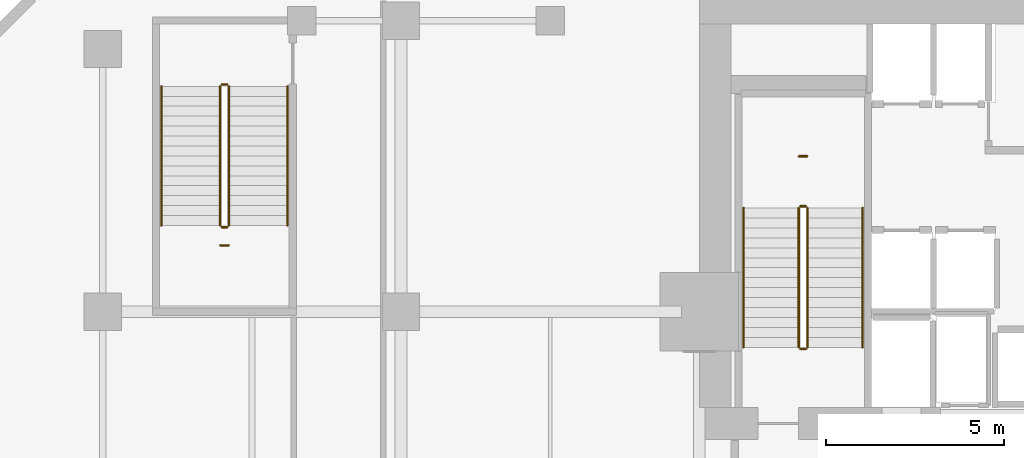
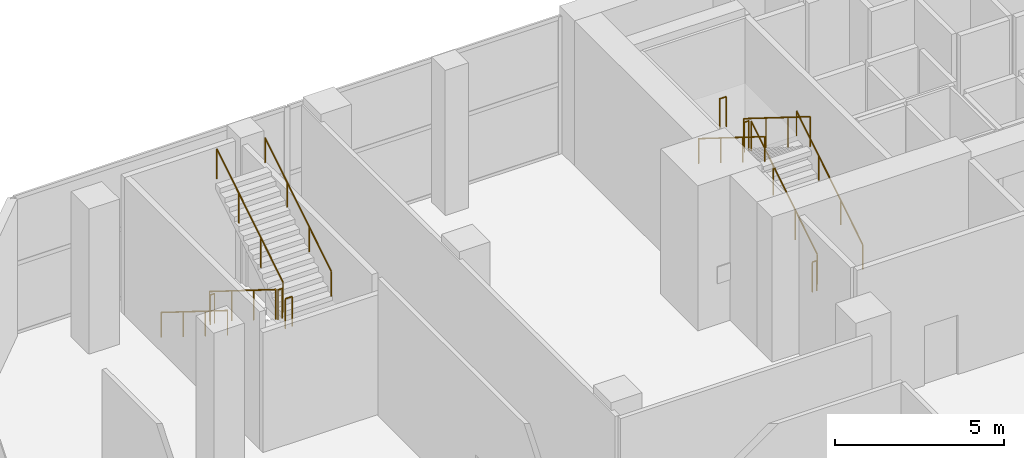
# One storey, part 39 of 40: 14 railings.
"""IFC4 building model written with IfcOpenShell, lengths in metres."""

from ifc_helpers import new_model, si_unit, direction, frame, origin, origin_2d, place, context, subcontext, project, spatial, circle, extrude, material, type_object, element, save


model = new_model("IFC4")

# Units and contexts
model_context = context("Model", 3, precision=1e-05, world=origin(), true_north=direction((0.0, 1.0)))
body_context = subcontext(model_context, "Body", "Model", "MODEL_VIEW")
ifc_project = project(units=[si_unit("LENGTHUNIT", "METRE"), si_unit("AREAUNIT", "SQUARE_METRE"), si_unit("VOLUMEUNIT", "CUBIC_METRE"), si_unit("PLANEANGLEUNIT", "RADIAN"), si_unit("MASSUNIT", "GRAM", prefix="KILO")], contexts=[model_context])

# Site, building, storey
site_placement = place(None, origin())
site = spatial("IfcSite", under=ifc_project, at=site_placement, CompositionType="ELEMENT")
building_placement = place(site_placement, origin())
building = spatial("IfcBuilding", under=site, at=building_placement, Name="Maruvema Waterfront Hotel and Observation Tower", CompositionType="ELEMENT")
storey_placement = place(building_placement, frame((0.0, 0.0, 5.60009765625)))
storey = spatial("IfcBuildingStorey", under=building, at=storey_placement, Name="L01", CompositionType="ELEMENT", Elevation=5.60009765625)

# Railings
ifc_material_1 = material(Name="Brushed stainless steel Grade 316", Category="steel")
railing_type_1 = type_object("IfcRailingType", Name="Ramp Continuous Wall Handrail 920 mm", PredefinedType="HANDRAIL", material=ifc_material_1)
railing_1_placement = place(storey_placement, frame((29.800048828125, 44.0, 0.1748046875)))
element("IfcRailing", 1, at=railing_1_placement, inside=storey, type_object=railing_type_1, Name="L01 ST-01 stair handrail 1", PredefinedType="HANDRAIL", context=body_context, shape_type="SweptSolid", body=[
    extrude(circle(Radius=0.02392578125, at=origin_2d()), frame((0.0, 0.0, 0.89599609375), z_axis=(0.0, 0.847974566722, 0.530036917764), x_axis=(-1.0, 0.0, 0.0)), (0.0, 0.0, 1.0), 4.622802734375),
    extrude(circle(Radius=0.02099609375, at=origin_2d()), origin(), (0.0, 0.0, 1.0), 0.871826171875),
    extrude(circle(Radius=0.02099609375, at=origin_2d()), frame((0.0, 1.306640625, 0.816650390625)), (0.0, 0.0, 1.0), 0.871826171875),
    extrude(circle(Radius=0.02099609375, at=origin_2d()), frame((0.0, 2.61328125, 1.633544921875)), (0.0, 0.0, 1.0), 0.871826171875),
    extrude(circle(Radius=0.02099609375, at=origin_2d()), frame((0.0, 3.919921875, 2.4501953125)), (0.0, 0.0, 1.0), 0.871826171875),
])
railing_2_placement = place(storey_placement, frame((26.449951171875, 47.919921875, 2.7998046875)))
element("IfcRailing", 2, at=railing_2_placement, inside=storey, type_object=railing_type_1, Name="L01 ST-01 stair handrail 2", PredefinedType="HANDRAIL", context=body_context, shape_type="SweptSolid", body=[
    extrude(circle(Radius=0.02392578125, at=origin_2d()), frame((0.0, 0.0, 0.89599609375), z_axis=(0.0, -0.847974566722, 0.530036917764), x_axis=(1.0, 0.0, 0.0)), (0.0, 0.0, 1.0), 4.622802734375),
    extrude(circle(Radius=0.02099609375, at=origin_2d()), origin(), (0.0, 0.0, 1.0), 0.871826171875),
    extrude(circle(Radius=0.02099609375, at=origin_2d()), frame((0.0, -1.306640625, 0.816650390625)), (0.0, 0.0, 1.0), 0.871826171875),
    extrude(circle(Radius=0.02099609375, at=origin_2d()), frame((0.0, -2.61328125, 1.633544921875)), (0.0, 0.0, 1.0), 0.871826171875),
    extrude(circle(Radius=0.02099609375, at=origin_2d()), frame((0.0, -3.919921875, 2.4501953125)), (0.0, 0.0, 1.0), 0.871826171875),
])
railing_3_placement = place(storey_placement, frame((10.050048828125, 51.35009765625, 0.1748046875)))
element("IfcRailing", 3, at=railing_3_placement, inside=storey, type_object=railing_type_1, Name="L01 ST-04 stair handrail 1", PredefinedType="HANDRAIL", context=body_context, shape_type="SweptSolid", body=[
    extrude(circle(Radius=0.02392578125, at=origin_2d()), frame((0.0, 0.0, 0.89599609375), z_axis=(0.0, -0.847989403122, 0.53001318115), x_axis=(1.0, 0.0, 0.0)), (0.0, 0.0, 1.0), 4.622802734375),
    extrude(circle(Radius=0.02099609375, at=origin_2d()), origin(), (0.0, 0.0, 1.0), 0.871826171875),
    extrude(circle(Radius=0.02099609375, at=origin_2d()), frame((0.0, -1.306640625, 0.816650390625)), (0.0, 0.0, 1.0), 0.871826171875),
    extrude(circle(Radius=0.02099609375, at=origin_2d()), frame((0.0, -2.613525390625, 1.633544921875)), (0.0, 0.0, 1.0), 0.871826171875),
    extrude(circle(Radius=0.02099609375, at=origin_2d()), frame((0.0, -3.920166015625, 2.4501953125)), (0.0, 0.0, 1.0), 0.871826171875),
])
railing_4_placement = place(storey_placement, frame((13.60009765625, 47.429931640625, 2.7998046875)))
element("IfcRailing", 4, at=railing_4_placement, inside=storey, type_object=railing_type_1, Name="L01 ST-04 stair handrail 2", PredefinedType="HANDRAIL", context=body_context, shape_type="SweptSolid", body=[
    extrude(circle(Radius=0.02392578125, at=origin_2d()), frame((0.0, 0.0, 0.89599609375), z_axis=(0.0, 0.847989403122, 0.53001318115), x_axis=(-1.0, 0.0, 0.0)), (0.0, 0.0, 1.0), 4.622802734375),
    extrude(circle(Radius=0.02099609375, at=origin_2d()), origin(), (0.0, 0.0, 1.0), 0.871826171875),
    extrude(circle(Radius=0.02099609375, at=origin_2d()), frame((0.0, 1.306640625, 0.816650390625)), (0.0, 0.0, 1.0), 0.871826171875),
    extrude(circle(Radius=0.02099609375, at=origin_2d()), frame((0.0, 2.613525390625, 1.633544921875)), (0.0, 0.0, 1.0), 0.871826171875),
    extrude(circle(Radius=0.02099609375, at=origin_2d()), frame((0.0, 3.920166015625, 2.4501953125)), (0.0, 0.0, 1.0), 0.871826171875),
])
ifc_material_2 = material(Name="Brushed stainless steel Grade 316", Category="steel")
railing_type_2 = type_object("IfcRailingType", Name="Ramp and Terrace Guard Balustrade 1100 mm", PredefinedType="BALUSTRADE", material=ifc_material_2)
railing_5_placement = place(storey_placement, frame((28.25, 44.0, 0.1748046875)))
element("IfcRailing", 5, at=railing_5_placement, inside=storey, type_object=railing_type_2, Name="L01 ST-01 stair guard 1", PredefinedType="BALUSTRADE", context=body_context, shape_type="SweptSolid", body=[
    extrude(circle(Radius=0.02392578125, at=origin_2d()), frame((0.0, 0.0, 1.076171875), z_axis=(0.0, 0.847974566722, 0.530036917764), x_axis=(-1.0, 0.0, 0.0)), (0.0, 0.0, 1.0), 4.622802734375),
    extrude(circle(Radius=0.02099609375, at=origin_2d()), origin(), (0.0, 0.0, 1.0), 1.052001953125),
    extrude(circle(Radius=0.02099609375, at=origin_2d()), frame((0.0, 1.306640625, 0.816650390625)), (0.0, 0.0, 1.0), 1.052001953125),
    extrude(circle(Radius=0.02099609375, at=origin_2d()), frame((0.0, 2.61328125, 1.633544921875)), (0.0, 0.0, 1.0), 1.052001953125),
    extrude(circle(Radius=0.02099609375, at=origin_2d()), frame((0.0, 3.919921875, 2.4501953125)), (0.0, 0.0, 1.0), 1.052001953125),
])
railing_6_placement = place(storey_placement, frame((28.199951171875, 47.969970703125, 2.625)))
element("IfcRailing", 6, at=railing_6_placement, inside=storey, type_object=railing_type_2, Name="L01 ST-01 stair guard 2", PredefinedType="BALUSTRADE", context=body_context, shape_type="SweptSolid", body=[
    extrude(circle(Radius=0.02392578125, at=origin_2d()), frame((0.0, 0.0, 1.076171875), z_axis=(-1.0, 0.0, 0.0), x_axis=(0.0, -1.0, 0.0)), (0.0, 0.0, 1.0), 0.14990234375),
    extrude(circle(Radius=0.02099609375, at=origin_2d()), origin(), (0.0, 0.0, 1.0), 1.052001953125),
    extrude(circle(Radius=0.02099609375, at=origin_2d()), frame((-0.14990234375, 0.0, 0.0)), (0.0, 0.0, 1.0), 1.052001953125),
])
railing_7_placement = place(storey_placement, frame((28.0, 47.919921875, 2.7998046875)))
element("IfcRailing", 7, at=railing_7_placement, inside=storey, type_object=railing_type_2, Name="L01 ST-01 stair guard 3", PredefinedType="BALUSTRADE", context=body_context, shape_type="SweptSolid", body=[
    extrude(circle(Radius=0.02392578125, at=origin_2d()), frame((0.0, 0.0, 1.076171875), z_axis=(0.0, -0.847974566722, 0.530036917764), x_axis=(1.0, 0.0, 0.0)), (0.0, 0.0, 1.0), 4.622802734375),
    extrude(circle(Radius=0.02099609375, at=origin_2d()), origin(), (0.0, 0.0, 1.0), 1.052001953125),
    extrude(circle(Radius=0.02099609375, at=origin_2d()), frame((0.0, -1.306640625, 0.816650390625)), (0.0, 0.0, 1.0), 1.052001953125),
    extrude(circle(Radius=0.02099609375, at=origin_2d()), frame((0.0, -2.61328125, 1.633544921875)), (0.0, 0.0, 1.0), 1.052001953125),
    extrude(circle(Radius=0.02099609375, at=origin_2d()), frame((0.0, -3.919921875, 2.4501953125)), (0.0, 0.0, 1.0), 1.052001953125),
])
railing_8_placement = place(storey_placement, frame((28.199951171875, 43.949951171875, 0.0)))
element("IfcRailing", 8, at=railing_8_placement, inside=storey, type_object=railing_type_2, Name="L01 ST-01 stair guard 4", PredefinedType="BALUSTRADE", context=body_context, shape_type="SweptSolid", body=[
    extrude(circle(Radius=0.02392578125, at=origin_2d()), frame((0.0, 0.0, 1.076171875), z_axis=(-1.0, 0.0, 0.0), x_axis=(0.0, -1.0, 0.0)), (0.0, 0.0, 1.0), 0.14990234375),
    extrude(circle(Radius=0.02099609375, at=origin_2d()), origin(), (0.0, 0.0, 1.0), 1.052001953125),
    extrude(circle(Radius=0.02099609375, at=origin_2d()), frame((-0.14990234375, 0.0, 0.0)), (0.0, 0.0, 1.0), 1.052001953125),
])
railing_9_placement = place(storey_placement, frame((28.239990234375, 49.3798828125, 2.625)))
element("IfcRailing", 9, at=railing_9_placement, inside=storey, type_object=railing_type_2, Name="L01 ST-01 Half-Landing Slot Guard", PredefinedType="BALUSTRADE", context=body_context, shape_type="SweptSolid", body=[
    extrude(circle(Radius=0.02392578125, at=origin_2d()), frame((0.0, 0.0, 1.076171875), z_axis=(-1.0, 0.0, 0.0), x_axis=(0.0, -1.0, 0.0)), (0.0, 0.0, 1.0), 0.22998046875),
    extrude(circle(Radius=0.02099609375, at=origin_2d()), origin(), (0.0, 0.0, 1.0), 1.052001953125),
    extrude(circle(Radius=0.02099609375, at=origin_2d()), frame((-0.22998046875, 0.0, 0.0)), (0.0, 0.0, 1.0), 1.052001953125),
])
railing_10_placement = place(storey_placement, frame((11.699951171875, 51.35009765625, 0.1748046875)))
element("IfcRailing", 10, at=railing_10_placement, inside=storey, type_object=railing_type_2, Name="L01 ST-04 stair guard 1", PredefinedType="BALUSTRADE", context=body_context, shape_type="SweptSolid", body=[
    extrude(circle(Radius=0.02392578125, at=origin_2d()), frame((0.0, 0.0, 1.076171875), z_axis=(0.0, -0.847989403122, 0.53001318115), x_axis=(1.0, 0.0, 0.0)), (0.0, 0.0, 1.0), 4.622802734375),
    extrude(circle(Radius=0.02099609375, at=origin_2d()), origin(), (0.0, 0.0, 1.0), 1.052001953125),
    extrude(circle(Radius=0.02099609375, at=origin_2d()), frame((0.0, -1.306640625, 0.816650390625)), (0.0, 0.0, 1.0), 1.052001953125),
    extrude(circle(Radius=0.02099609375, at=origin_2d()), frame((0.0, -2.613525390625, 1.633544921875)), (0.0, 0.0, 1.0), 1.052001953125),
    extrude(circle(Radius=0.02099609375, at=origin_2d()), frame((0.0, -3.920166015625, 2.4501953125)), (0.0, 0.0, 1.0), 1.052001953125),
])
railing_11_placement = place(storey_placement, frame((11.75, 47.3798828125, 2.625)))
element("IfcRailing", 11, at=railing_11_placement, inside=storey, type_object=railing_type_2, Name="L01 ST-04 stair guard 2", PredefinedType="BALUSTRADE", context=body_context, shape_type="SweptSolid", body=[
    extrude(circle(Radius=0.02392578125, at=origin_2d()), frame((0.0, 0.0, 1.076171875), z_axis=(1.0, 0.0, 0.0), x_axis=(0.0, 1.0, 0.0)), (0.0, 0.0, 1.0), 0.14990234375),
    extrude(circle(Radius=0.02099609375, at=origin_2d()), origin(), (0.0, 0.0, 1.0), 1.052001953125),
    extrude(circle(Radius=0.02099609375, at=origin_2d()), frame((0.14990234375, 0.0, 0.0)), (0.0, 0.0, 1.0), 1.052001953125),
])
railing_12_placement = place(storey_placement, frame((11.949951171875, 47.429931640625, 2.7998046875)))
element("IfcRailing", 12, at=railing_12_placement, inside=storey, type_object=railing_type_2, Name="L01 ST-04 stair guard 3", PredefinedType="BALUSTRADE", context=body_context, shape_type="SweptSolid", body=[
    extrude(circle(Radius=0.02392578125, at=origin_2d()), frame((0.0, 0.0, 1.076171875), z_axis=(0.0, 0.847989403122, 0.53001318115), x_axis=(-1.0, 0.0, 0.0)), (0.0, 0.0, 1.0), 4.622802734375),
    extrude(circle(Radius=0.02099609375, at=origin_2d()), origin(), (0.0, 0.0, 1.0), 1.052001953125),
    extrude(circle(Radius=0.02099609375, at=origin_2d()), frame((0.0, 1.306640625, 0.816650390625)), (0.0, 0.0, 1.0), 1.052001953125),
    extrude(circle(Radius=0.02099609375, at=origin_2d()), frame((0.0, 2.613525390625, 1.633544921875)), (0.0, 0.0, 1.0), 1.052001953125),
    extrude(circle(Radius=0.02099609375, at=origin_2d()), frame((0.0, 3.920166015625, 2.4501953125)), (0.0, 0.0, 1.0), 1.052001953125),
])
railing_13_placement = place(storey_placement, frame((11.75, 51.39990234375, 0.0)))
element("IfcRailing", 13, at=railing_13_placement, inside=storey, type_object=railing_type_2, Name="L01 ST-04 stair guard 4", PredefinedType="BALUSTRADE", context=body_context, shape_type="SweptSolid", body=[
    extrude(circle(Radius=0.02392578125, at=origin_2d()), frame((0.0, 0.0, 1.076171875), z_axis=(1.0, 0.0, 0.0), x_axis=(0.0, 1.0, 0.0)), (0.0, 0.0, 1.0), 0.14990234375),
    extrude(circle(Radius=0.02099609375, at=origin_2d()), origin(), (0.0, 0.0, 1.0), 1.052001953125),
    extrude(circle(Radius=0.02099609375, at=origin_2d()), frame((0.14990234375, 0.0, 0.0)), (0.0, 0.0, 1.0), 1.052001953125),
])
railing_14_placement = place(storey_placement, frame((11.7099609375, 46.8701171875, 2.625)))
element("IfcRailing", 14, at=railing_14_placement, inside=storey, type_object=railing_type_2, Name="L01 ST-04 Half-Landing Slot Guard", PredefinedType="BALUSTRADE", context=body_context, shape_type="SweptSolid", body=[
    extrude(circle(Radius=0.02392578125, at=origin_2d()), frame((0.0, 0.0, 1.076171875), z_axis=(1.0, 0.0, 0.0), x_axis=(0.0, 1.0, 0.0)), (0.0, 0.0, 1.0), 0.22998046875),
    extrude(circle(Radius=0.02099609375, at=origin_2d()), origin(), (0.0, 0.0, 1.0), 1.052001953125),
    extrude(circle(Radius=0.02099609375, at=origin_2d()), frame((0.22998046875, 0.0, 0.0)), (0.0, 0.0, 1.0), 1.052001953125),
])

save(model, "model.ifc")
